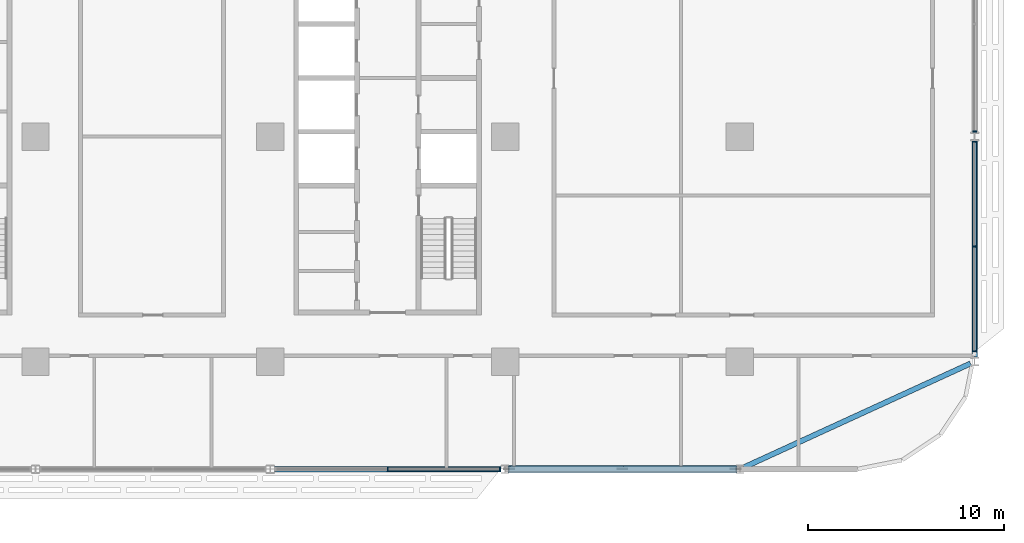
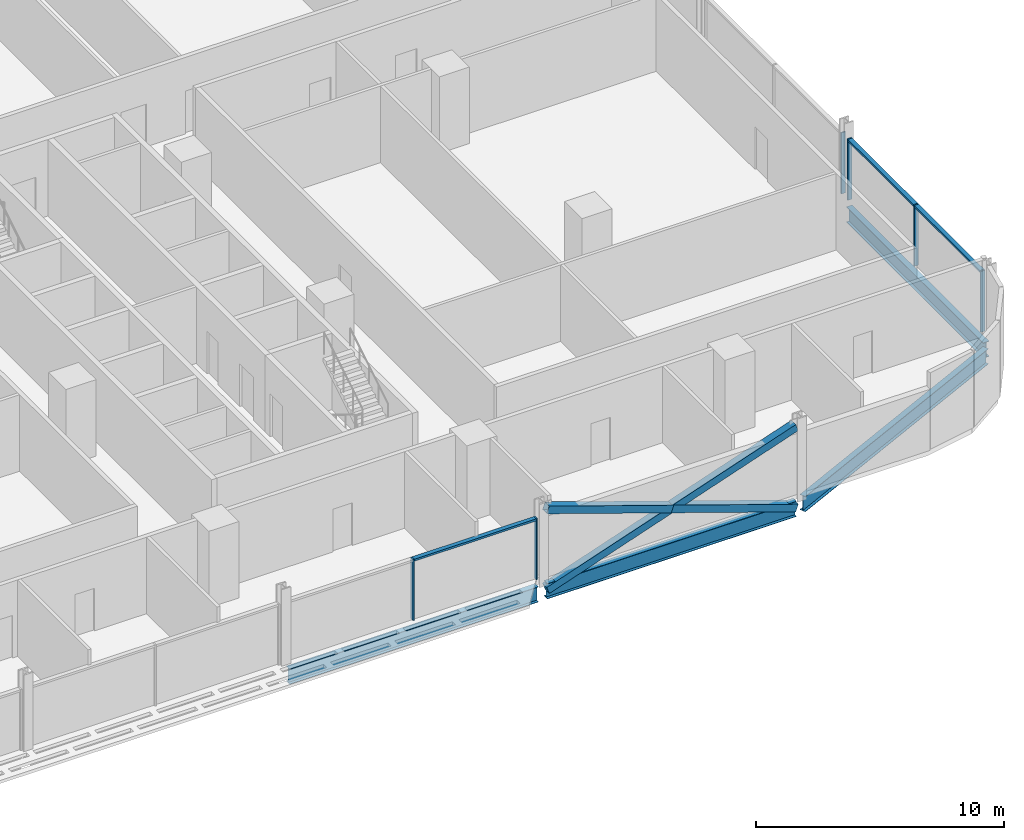
# One storey, part 8 of 29: 12 members, 4 beams, 3 elements without a shape of their own.
"""IFC4 building model written with IfcOpenShell, lengths in metres."""

from ifc_helpers import new_model, si_unit, direction, frame, origin, origin_2d, place, context, subcontext, project, spatial, rectangle, hollow_rectangle, i_section, extrude, material, material_profile, profile_set, type_object, element, aggregate, save


model = new_model("IFC4")

# Units and contexts
model_context = context("Model", 3, precision=1e-05, world=origin(), true_north=direction((0.0, 1.0)))
body_context = subcontext(model_context, "Body", "Model", "MODEL_VIEW")
ifc_project = project(units=[si_unit("LENGTHUNIT", "METRE"), si_unit("AREAUNIT", "SQUARE_METRE"), si_unit("VOLUMEUNIT", "CUBIC_METRE"), si_unit("PLANEANGLEUNIT", "RADIAN"), si_unit("MASSUNIT", "GRAM", prefix="KILO")], contexts=[model_context])

# Site, building, storey
site_placement = place(None, origin())
site = spatial("IfcSite", under=ifc_project, at=site_placement, CompositionType="ELEMENT")
building_placement = place(site_placement, origin())
building = spatial("IfcBuilding", under=site, at=building_placement, Name="Mahtab Terrace Research Tower", CompositionType="ELEMENT")
storey_placement = place(building_placement, frame((0.0, 0.0, 93.0)))
storey = spatial("IfcBuildingStorey", under=building, at=storey_placement, Name="L21", CompositionType="ELEMENT", Elevation=93.0)

# Members
ifc_material_1 = material(Name="Steel ASTM A500 Gr C", Category="steel")
ifc_material_profile_1 = material_profile(ifc_material_1, hollow_rectangle(XDim=0.355712890625, YDim=0.355712890625, WallThickness=0.01904296875, at=origin_2d()), Name="HSS14X14X3/4")
ifc_profile_set_1 = profile_set([ifc_material_profile_1], Name="Steel ASTM A500 Gr C")
member_type_1 = type_object("IfcMemberType", Name="HSS 14x14x3/4 brace XB141434", PredefinedType="BRACE", material=ifc_profile_set_1)
member_1_placement = place(storey_placement, frame((30.20947265625, -17.0, -0.64697265625), z_axis=(0.946286750388, 0.0, 0.323328603809), x_axis=(0.0, 1.0, 0.0)))
element("IfcMember", 1, at=member_1_placement, inside=storey, type_object=member_type_1, Name="Exoskeleton brace L21 18 a", PredefinedType="BRACE", context=body_context, shape_type="SweptSolid", body=[
    extrude(hollow_rectangle(XDim=0.355712890625, YDim=0.355712890625, WallThickness=0.01904296875, at=origin_2d()), origin(), (0.0, 0.0, 1.0), 12.238525390625),
])
for number, where, z_axis, x_axis, name in (
    (2, (41.79052734375, -17.0, -0.64697265625), (-0.946286750388, 0.0, 0.323328603809), (0.0, -1.0, 0.0), "Exoskeleton brace L21 18 b1"),
    (3, (36.0, -17.0, 1.33154296875), (-0.946286750388, 0.0, 0.323328603809), (0.0, -1.0, 0.0), "Exoskeleton brace L21 18 b2"),
):
    element("IfcMember", number, at=place(storey_placement, frame(where, z_axis=z_axis, x_axis=x_axis)), inside=storey, type_object=member_type_1, Name=name, PredefinedType="BRACE", context=body_context, shape_type="SweptSolid", body=[
        extrude(hollow_rectangle(XDim=0.355712890625, YDim=0.355712890625, WallThickness=0.01904296875, at=origin_2d()), origin(), (0.0, 0.0, 1.0), 6.119140625),
    ])

# Curtain wall, members
ifc_material_2 = material(Name="Laboratory ribbon curtain wall")
curtain_wall_type = type_object("IfcCurtainWallType", Name="Laboratory ribbon curtain wall", PredefinedType="NOTDEFINED", material=ifc_material_2)
curtain_wall_1_placement = place(storey_placement, origin())
curtain_wall_1 = element("IfcCurtainWall", 4, at=curtain_wall_1_placement, inside=storey, type_object=curtain_wall_type, Name="EN.L21.13.28", PredefinedType="NOTDEFINED")
ifc_material_3 = material(Name="Natural anodised aluminium", Category="aluminium")
ifc_material_profile_2 = material_profile(ifc_material_3, rectangle(XDim=0.199951171875, YDim=0.06494140625, at=origin_2d()), Name="MULLION 65x200")
ifc_profile_set_2 = profile_set([ifc_material_profile_2], Name="Natural anodised aluminium")
member_type_2 = type_object("IfcMemberType", Name="Laboratory ribbon curtain wall mullion", PredefinedType="MULLION", material=ifc_profile_set_2)
member_2_placement = place(storey_placement, frame((24.0, -17.0, 0.0), z_axis=(0.0, 0.0, 1.0), x_axis=(0.0, 1.0, 0.0)))
member_2 = element("IfcMember", 5, at=member_2_placement, type_object=member_type_2, Name="CWL-3 mullion 2", PredefinedType="MULLION", context=body_context, shape_type="SweptSolid", body=[
    extrude(rectangle(XDim=0.199951171875, YDim=0.06494140625, at=origin_2d()), origin(), (0.0, 0.0, 1.0), 3.003173828125),
])
member_3_placement = place(storey_placement, frame((29.739501953125, -17.0, 0.0), z_axis=(0.0, 0.0, 1.0), x_axis=(0.0, 1.0, 0.0)))
member_3 = element("IfcMember", 6, at=member_3_placement, type_object=member_type_2, Name="CWL-3 mullion 3", PredefinedType="MULLION", context=body_context, shape_type="SweptSolid", body=[
    extrude(rectangle(XDim=0.199951171875, YDim=0.06494140625, at=origin_2d()), origin(), (0.0, 0.0, 1.0), 3.003173828125),
])

curtain_wall_2_placement = place(storey_placement, origin())
curtain_wall_2 = element("IfcCurtainWall", 7, at=curtain_wall_2_placement, inside=storey, type_object=curtain_wall_type, Name="EN.L21.18.36", PredefinedType="NOTDEFINED")
member_4_placement = place(storey_placement, frame((54.0, -10.967529296875, 0.0), z_axis=(0.0, 0.0, 1.0), x_axis=(-1.0, 0.0, 0.0)))
member_4 = element("IfcMember", 8, at=member_4_placement, type_object=member_type_2, Name="CWL-3 mullion 1", PredefinedType="MULLION", context=body_context, shape_type="SweptSolid", body=[
    extrude(rectangle(XDim=0.199951171875, YDim=0.06494140625, at=origin_2d()), origin(), (0.0, 0.0, 1.0), 3.003173828125),
])
member_5_placement = place(storey_placement, frame((54.0, -5.614013671875, 0.0), z_axis=(0.0, 0.0, 1.0), x_axis=(-1.0, 0.0, 0.0)))
member_5 = element("IfcMember", 9, at=member_5_placement, type_object=member_type_2, Name="CWL-3 mullion 2", PredefinedType="MULLION", context=body_context, shape_type="SweptSolid", body=[
    extrude(rectangle(XDim=0.199951171875, YDim=0.06494140625, at=origin_2d()), origin(), (0.0, 0.0, 1.0), 3.003173828125),
])
member_6_placement = place(storey_placement, frame((54.0, -0.260498046875, 0.0), z_axis=(0.0, 0.0, 1.0), x_axis=(-1.0, 0.0, 0.0)))
member_6 = element("IfcMember", 10, at=member_6_placement, type_object=member_type_2, Name="CWL-3 mullion 3", PredefinedType="MULLION", context=body_context, shape_type="SweptSolid", body=[
    extrude(rectangle(XDim=0.199951171875, YDim=0.06494140625, at=origin_2d()), origin(), (0.0, 0.0, 1.0), 3.003173828125),
])

# Curtain wall, member
curtain_wall_3_placement = place(storey_placement, origin())
curtain_wall_3 = element("IfcCurtainWall", 11, at=curtain_wall_3_placement, inside=storey, type_object=curtain_wall_type, Name="EN.L21.18.37", PredefinedType="NOTDEFINED")
member_7_placement = place(storey_placement, frame((54.0, 0.260498046875, 0.0), z_axis=(0.0, 0.0, 1.0), x_axis=(-1.0, 0.0, 0.0)))
member_7 = element("IfcMember", 12, at=member_7_placement, type_object=member_type_2, Name="CWL-3 mullion 1", PredefinedType="MULLION", context=body_context, shape_type="SweptSolid", body=[
    extrude(rectangle(XDim=0.199951171875, YDim=0.06494140625, at=origin_2d()), origin(), (0.0, 0.0, 1.0), 3.003173828125),
])
aggregate(curtain_wall_3, [member_7])

# Member
ifc_material_profile_3 = material_profile(ifc_material_3, rectangle(XDim=0.199951171875, YDim=0.10009765625, at=origin_2d()), Name="TRANSOM 100x200")
ifc_profile_set_3 = profile_set([ifc_material_profile_3], Name="Natural anodised aluminium")
member_type_3 = type_object("IfcMemberType", Name="Laboratory ribbon curtain wall transom", PredefinedType="USERDEFINED", material=ifc_profile_set_3)
member_8_placement = place(storey_placement, frame((24.032470703125, -17.0, 2.953125), z_axis=(1.0, 0.0, 0.0), x_axis=(0.0, 1.0, 0.0)))
member_8 = element("IfcMember", 13, at=member_8_placement, type_object=member_type_3, Name="CWL-3 transom 2", ObjectType="TRANSOM", PredefinedType="USERDEFINED", context=body_context, shape_type="SweptSolid", body=[
    extrude(rectangle(XDim=0.199951171875, YDim=0.10009765625, at=origin_2d()), origin(), (0.0, 0.0, 1.0), 5.674560546875),
])

aggregate(curtain_wall_1, [member_2, member_3, member_8])

member_9_placement = place(storey_placement, frame((54.0, -10.93505859375, 2.953125), z_axis=(0.0, 1.0, 0.0), x_axis=(-1.0, 0.0, 0.0)))
member_9 = element("IfcMember", 14, at=member_9_placement, type_object=member_type_3, Name="CWL-3 transom 1", ObjectType="TRANSOM", PredefinedType="USERDEFINED", context=body_context, shape_type="SweptSolid", body=[
    extrude(rectangle(XDim=0.199951171875, YDim=0.10009765625, at=origin_2d()), origin(), (0.0, 0.0, 1.0), 5.28857421875),
])

member_10_placement = place(storey_placement, frame((54.0, -5.58154296875, 2.953125), z_axis=(0.0, 1.0, 0.0), x_axis=(-1.0, 0.0, 0.0)))
member_10 = element("IfcMember", 15, at=member_10_placement, type_object=member_type_3, Name="CWL-3 transom 2", ObjectType="TRANSOM", PredefinedType="USERDEFINED", context=body_context, shape_type="SweptSolid", body=[
    extrude(rectangle(XDim=0.199951171875, YDim=0.10009765625, at=origin_2d()), origin(), (0.0, 0.0, 1.0), 5.28857421875),
])

aggregate(curtain_wall_2, [member_4, member_5, member_6, member_9, member_10])

# Beams
ifc_material_4 = material(Name="Steel ASTM A992 Gr 50", Category="steel")
ifc_material_profile_4 = material_profile(ifc_material_4, i_section(OverallWidth=0.2666015625, OverallDepth=0.7568359375, WebThickness=0.013916015625, FlangeThickness=0.019287109375, at=origin_2d()), Name="W30X108")
ifc_profile_set_4 = profile_set([ifc_material_profile_4], Name="Steel ASTM A992 Gr 50")
beam_type = type_object("IfcBeamType", Name="W30x108 beam BS30108", PredefinedType="BEAM", material=ifc_profile_set_4)
for number, where, z_axis, x_axis, name in (
    (16, (18.20947265625, -17.0, -0.718505859375), (1.0, 0.0, 0.0), (0.0, 1.0, 0.0), "Spandrel beam L21 17"),
    (17, (30.20947265625, -17.0, -0.718505859375), (1.0, 0.0, 0.0), (0.0, 1.0, 0.0), "Spandrel beam L21 18"),
):
    element("IfcBeam", number, at=place(storey_placement, frame(where, z_axis=z_axis, x_axis=x_axis)), inside=storey, type_object=beam_type, Name=name, PredefinedType="BEAM", context=body_context, shape_type="SweptSolid", body=[
        extrude(i_section(OverallWidth=0.2666015625, OverallDepth=0.7568359375, WebThickness=0.013916015625, FlangeThickness=0.019287109375, at=origin_2d()), origin(), (0.0, 0.0, 1.0), 11.5810546875),
    ])
beam_1_placement = place(storey_placement, frame((42.20947265625, -16.904052734375, -0.718505859375), z_axis=(0.909061193532, 0.416662629011, 0.0), x_axis=(-0.416662629011, 0.909061193532, 0.0)))
element("IfcBeam", 18, at=beam_1_placement, inside=storey, type_object=beam_type, Name="Spandrel beam L21 19", PredefinedType="BEAM", context=body_context, shape_type="SweptSolid", body=[
    extrude(i_section(OverallWidth=0.2666015625, OverallDepth=0.7568359375, WebThickness=0.013916015625, FlangeThickness=0.019287109375, at=origin_2d()), origin(), (0.0, 0.0, 1.0), 12.739501953125),
])
beam_2_placement = place(storey_placement, frame((54.0, -11.272705078125, -0.718505859375), z_axis=(0.0, 1.0, 0.0), x_axis=(-1.0, 0.0, 0.0)))
element("IfcBeam", 19, at=beam_2_placement, inside=storey, type_object=beam_type, Name="Spandrel beam L21 20", PredefinedType="BEAM", context=body_context, shape_type="SweptSolid", body=[
    extrude(i_section(OverallWidth=0.2666015625, OverallDepth=0.7568359375, WebThickness=0.013916015625, FlangeThickness=0.019287109375, at=origin_2d()), origin(), (0.0, 0.0, 1.0), 11.04541015625),
])

save(model, "model.ifc")
